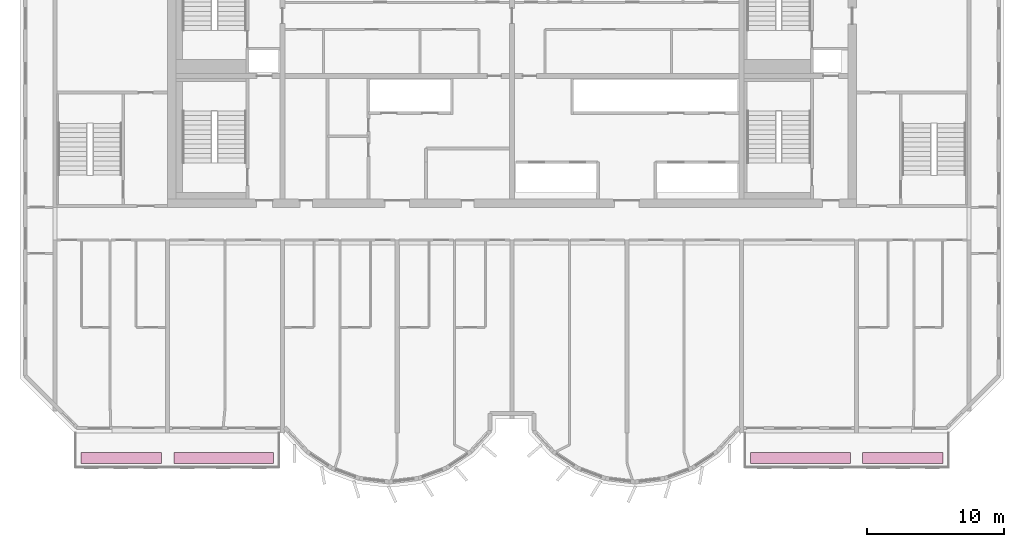
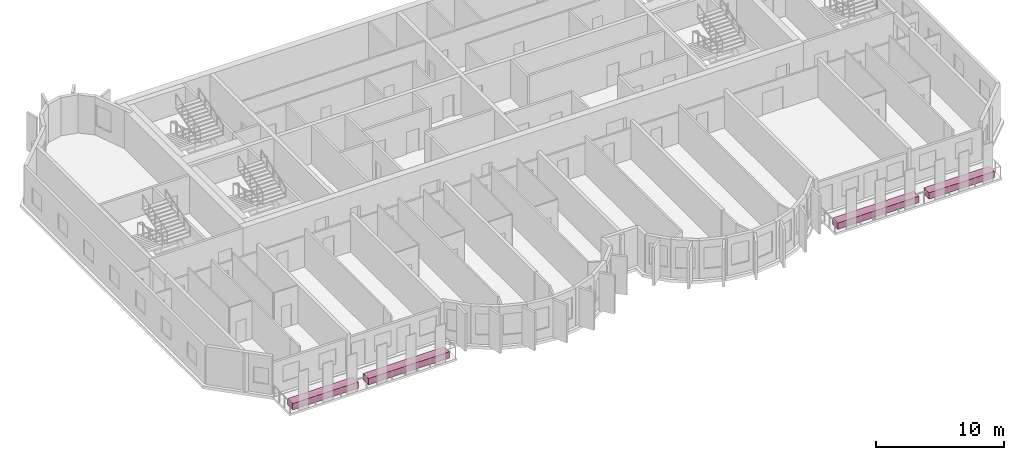
# One storey, part 11 of 11: 4 furniture elements.
"""IFC4 building model written with IfcOpenShell, lengths in metres."""

import ifcopenshell
import ifcopenshell.guid

model = None  # the IFC model being written
_history = None  # IfcOwnerHistory: only IFC2X3 demands one
_inside = {}  # id of a spatial element -> (the spatial element, [elements in it])
_under = {}  # id of a project, library or spatial element -> (it, [spatial elements below it])
_declared = {}  # id of a project -> (the project, [libraries it declares])
_typed = {}  # id of a type object -> (the type object, [elements of that type])
_made_of = {}  # id of a material, layer set ... -> (it, [elements and type objects made of it])


def new_model(schema):
    """Start an empty IFC model of exactly this schema.

    Asked for "IFC4X3", IfcOpenShell would pick the latest addendum, in which some entities
    have other attributes; the version numbers below select the first issue.
    IFC2X3 requires an IfcOwnerHistory on every rooted entity: one is made here for all.
    """
    global model, _history
    if schema == "IFC4X3":
        model = ifcopenshell.file(schema_version=(4, 3, 0, 0))
    else:
        model = ifcopenshell.file(schema=schema)
    _inside.clear()
    _under.clear()
    _declared.clear()
    _typed.clear()
    _made_of.clear()
    _history = None
    if model.schema == "IFC2X3":
        org = make("IfcOrganization", Name="unknown")
        user = make(
            "IfcPersonAndOrganization",
            ThePerson=make("IfcPerson", FamilyName="unknown"),
            TheOrganization=org,
        )
        app = make(
            "IfcApplication",
            ApplicationDeveloper=org,
            Version="unknown",
            ApplicationFullName="unknown",
            ApplicationIdentifier="unknown",
        )
        _history = make(
            "IfcOwnerHistory",
            OwningUser=user,
            OwningApplication=app,
            ChangeAction="ADDED",
            CreationDate=0,
        )
    return model


def make(cls, **values):
    """One entity of the class cls with the attributes given. An attribute that is None is left unset."""
    return model.create_entity(
        cls, **{name: value for name, value in values.items() if value is not None}
    )


def rooted(cls, **values):
    """An entity with a GlobalId (a new one), such as an element, a storey or a relation."""
    return make(cls, GlobalId=ifcopenshell.guid.new(), OwnerHistory=_history, **values)


def si_unit(unit_type, name, prefix=None):
    """IfcSIUnit, for example si_unit("LENGTHUNIT", "METRE", prefix="MILLI")."""
    return make("IfcSIUnit", UnitType=unit_type, Prefix=prefix, Name=name)


def assignment(units):
    """IfcUnitAssignment: the units of a project."""
    return None if units is None else make("IfcUnitAssignment", Units=units)


def point(xyz):
    """IfcCartesianPoint."""
    return None if xyz is None else make("IfcCartesianPoint", Coordinates=xyz)


def direction(xyz):
    """IfcDirection."""
    return None if xyz is None else make("IfcDirection", DirectionRatios=xyz)


def frame(location, z_axis=None, x_axis=None):
    """IfcAxis2Placement3D, a coordinate frame: its origin and axes. An axis left out is left unset."""
    return make(
        "IfcAxis2Placement3D",
        Location=point(location),
        Axis=direction(z_axis),
        RefDirection=direction(x_axis),
    )


def frame_2d(location, x_axis=None):
    """IfcAxis2Placement2D, a coordinate frame in the plane: its origin and x axis."""
    return make(
        "IfcAxis2Placement2D", Location=point(location), RefDirection=direction(x_axis)
    )


def origin():
    """The frame at (0, 0, 0) with its axes left unset."""
    return frame((0.0, 0.0, 0.0))


def origin_2d():
    """The frame at (0, 0) in the plane with its x axis left unset."""
    return frame_2d((0.0, 0.0))


def place(relative_to, where):
    """IfcLocalPlacement: puts the frame where relative to a parent placement (None: the world)."""
    return make(
        "IfcLocalPlacement", PlacementRelTo=relative_to, RelativePlacement=where
    )


def context(
    kind, dimensions, precision=None, world=None, true_north=None, identifier=None
):
    """IfcGeometricRepresentationContext, for example the 3D "Model" context."""
    return make(
        "IfcGeometricRepresentationContext",
        ContextIdentifier=identifier,
        ContextType=kind,
        CoordinateSpaceDimension=dimensions,
        Precision=precision,
        WorldCoordinateSystem=world,
        TrueNorth=true_north,
    )


def subcontext(parent, identifier, kind, view, scale=None):
    """IfcGeometricRepresentationSubContext, for example "Body" below "Model"."""
    return make(
        "IfcGeometricRepresentationSubContext",
        ContextIdentifier=identifier,
        ContextType=kind,
        ParentContext=parent,
        TargetScale=scale,
        TargetView=view,
    )


def project(units=None, contexts=None):
    """IfcProject with its units and contexts."""
    return rooted(
        "IfcProject",
        Name="project",
        RepresentationContexts=contexts,
        UnitsInContext=assignment(units),
    )


def spatial(cls, under=None, at=None, **own):
    """A site, building, storey or space (cls), placed at a placement, below another one or the project."""
    s = rooted(cls, ObjectPlacement=at, **own)
    if under is not None:
        _under.setdefault(under.id(), (under, []))[1].append(s)
    return s


def profile(cls, at=None, kind="AREA", **sizes):
    """A parametric profile (cls). Its sizes go by their IFC names, for example OverallWidth=200.0."""
    return make(cls, ProfileType=kind, Position=at, **sizes)


def rectangle(**sizes):
    """IfcRectangleProfileDef."""
    return profile("IfcRectangleProfileDef", **sizes)


def extrude(swept, where, along, depth):
    """IfcExtrudedAreaSolid: the profile swept, set in the frame where, extruded along a direction by depth."""
    return make(
        "IfcExtrudedAreaSolid",
        SweptArea=swept,
        Position=where,
        ExtrudedDirection=direction(along),
        Depth=depth,
    )


def shape(context_of_items, identifier, shape_type, items):
    """IfcShapeRepresentation: the items that make up one representation, for example the "Body"."""
    return make(
        "IfcShapeRepresentation",
        ContextOfItems=context_of_items,
        RepresentationIdentifier=identifier,
        RepresentationType=shape_type,
        Items=items,
    )


def source(mapping_origin, context_of_items, identifier, shape_type, items):
    """IfcRepresentationMap: a shape defined once, which mapped items show again and again."""
    return make(
        "IfcRepresentationMap",
        MappingOrigin=mapping_origin,
        MappedRepresentation=shape(context_of_items, identifier, shape_type, items),
    )


def transform(
    local_origin,
    x_axis=None,
    y_axis=None,
    z_axis=None,
    scale=None,
    scale2=None,
    scale3=None,
    uniform=True,
):
    """IfcCartesianTransformationOperator3D, or its non-uniform kind. x_axis, y_axis, z_axis: its Axis1, 2, 3."""
    if uniform:
        return make(
            "IfcCartesianTransformationOperator3D",
            Axis1=direction(x_axis),
            Axis2=direction(y_axis),
            LocalOrigin=point(local_origin),
            Scale=scale,
            Axis3=direction(z_axis),
        )
    return make(
        "IfcCartesianTransformationOperator3DnonUniform",
        Axis1=direction(x_axis),
        Axis2=direction(y_axis),
        LocalOrigin=point(local_origin),
        Scale=scale,
        Axis3=direction(z_axis),
        Scale2=scale2,
        Scale3=scale3,
    )


def mapped(mapping_source, mapping_target):
    """IfcMappedItem: shows the shape of a source again, moved by a transform."""
    return make(
        "IfcMappedItem", MappingSource=mapping_source, MappingTarget=mapping_target
    )


def material(Name=None, Category=None):
    """IfcMaterial."""
    return make("IfcMaterial", Name=Name, Category=Category)


def made_of(thing, what):
    """Note that an element or type object is made of a material, layer set ...; save() writes the relation."""
    if what is not None:
        _made_of.setdefault(what.id(), (what, []))[1].append(thing)
    return thing


def type_object(cls, material=None, **own):
    """A type object (cls), such as IfcWallType, which elements share."""
    return made_of(rooted(cls, **own), material)


def element(
    cls,
    number,
    at=None,
    inside=None,
    cuts=None,
    type_object=None,
    material=None,
    context=None,
    identifier="Body",
    shape_type=None,
    held_by="IfcProductDefinitionShape",
    body=None,
    shapes=None,
    **own,
):
    """One element of the class cls, such as IfcWall. Its Tag is "e" and its number.

    at: its placement. inside: the storey or other place that contains it. cuts: it is an
    opening in that element (IfcRelVoidsElement). A single representation is given by context,
    identifier, shape_type and body (its items); several are given by shapes. held_by: the class
    of the entity that holds the representations. save() writes the other relations.
    """
    e = rooted(cls, Tag="e%d" % number, ObjectPlacement=at, **own)
    if body is not None:
        shapes = [shape(context, identifier, shape_type, body)]
    if shapes is not None:
        e.Representation = make(held_by, Representations=shapes)
    if inside is not None:
        _inside.setdefault(inside.id(), (inside, []))[1].append(e)
    if cuts is not None:
        rooted(
            "IfcRelVoidsElement", RelatingBuildingElement=cuts, RelatedOpeningElement=e
        )
    if type_object is not None:
        _typed.setdefault(type_object.id(), (type_object, []))[1].append(e)
    return made_of(e, material)


def aggregate(whole, parts):
    """IfcRelAggregates: a whole, such as a stair, and the parts it consists of."""
    return rooted("IfcRelAggregates", RelatingObject=whole, RelatedObjects=parts)


def save(model, path):
    """Write the relations noted so far, then the file.

    IfcRelAggregates (storeys below a building ...), IfcRelContainedInSpatialStructure (elements
    in a storey), IfcRelDefinesByType, IfcRelAssociatesMaterial and IfcRelDeclares: one each for
    every whole, place, type object, material and project.
    """
    for whole, parts in _under.values():
        aggregate(whole, parts)
    for where, things in _inside.values():
        rooted(
            "IfcRelContainedInSpatialStructure",
            RelatedElements=things,
            RelatingStructure=where,
        )
    for kind, things in _typed.values():
        rooted("IfcRelDefinesByType", RelatedObjects=things, RelatingType=kind)
    for what, things in _made_of.values():
        rooted("IfcRelAssociatesMaterial", RelatedObjects=things, RelatingMaterial=what)
    for by, libraries in _declared.values():
        rooted("IfcRelDeclares", RelatingContext=by, RelatedDefinitions=libraries)
    model.write(path)


model = new_model("IFC4")

# Units and contexts
model_context = context("Model", 3, precision=1e-05, world=origin(), true_north=direction((0.0, 1.0)))
body_context = subcontext(model_context, "Body", "Model", "MODEL_VIEW")
ifc_project = project(units=[si_unit("LENGTHUNIT", "METRE"), si_unit("AREAUNIT", "SQUARE_METRE"), si_unit("VOLUMEUNIT", "CUBIC_METRE"), si_unit("PLANEANGLEUNIT", "RADIAN"), si_unit("MASSUNIT", "GRAM", prefix="KILO")], contexts=[model_context])

# Site, building, storey
site_placement = place(None, origin())
site = spatial("IfcSite", under=ifc_project, at=site_placement, CompositionType="ELEMENT")
building_placement = place(site_placement, origin())
building = spatial("IfcBuilding", under=site, at=building_placement, Name="Vanashikhar Sky Hotel", CompositionType="ELEMENT")
storey_placement = place(building_placement, frame((0.0, 0.0, 245.199951171875)))
storey = spatial("IfcBuildingStorey", under=building, at=storey_placement, Name="L59", CompositionType="ELEMENT", Elevation=245.199951171875)

# Furniture
ifc_material = material(Name="Planting soil and shrubs")
furniture_type = type_object("IfcFurnitureType", Name="Planter trough", AssemblyPlace="NOTDEFINED", PredefinedType="USERDEFINED", material=ifc_material)
shared_shape_1 = source(origin(), body_context, "Body", "SweptSolid", [
    extrude(rectangle(XDim=7.300048828125, YDim=0.800048828125, at=origin_2d()), origin(), (0.0, 0.0, 1.0), 0.60009765625),
])
for number, where, z_axis, x_axis, name in (
    (1, (29.300048828125, 3.64990234375, -0.050048828125), (0.0, 0.0, 1.0), (1.0, 0.0, 0.0), "PLANTER with climbers"),
    (2, (71.5, 3.64990234375, -0.050048828125), (0.0, 0.0, 1.0), (1.0, 0.0, 0.0), "PLANTER with climbers"),
):
    element("IfcFurniture", number, at=place(storey_placement, frame(where, z_axis=z_axis, x_axis=x_axis)), inside=storey, type_object=furniture_type, Name=name, ObjectType="PLANTER", PredefinedType="USERDEFINED", context=body_context, shape_type="MappedRepresentation", body=[
        mapped(shared_shape_1, transform((0.0, 0.0, 0.0), scale=1.0)),
    ])
shared_shape_2 = source(origin(), body_context, "Body", "SweptSolid", [
    extrude(rectangle(XDim=5.89990234375, YDim=0.800048828125, at=origin_2d()), origin(), (0.0, 0.0, 1.0), 0.60009765625),
])
for number, where, z_axis, x_axis, name in (
    (3, (21.800048828125, 3.64990234375, -0.050048828125), (0.0, 0.0, 1.0), (1.0, 0.0, 0.0), "PLANTER with climbers"),
    (4, (79.0, 3.64990234375, -0.050048828125), (0.0, 0.0, 1.0), (1.0, 0.0, 0.0), "PLANTER with climbers"),
):
    element("IfcFurniture", number, at=place(storey_placement, frame(where, z_axis=z_axis, x_axis=x_axis)), inside=storey, type_object=furniture_type, Name=name, ObjectType="PLANTER", PredefinedType="USERDEFINED", context=body_context, shape_type="MappedRepresentation", body=[
        mapped(shared_shape_2, transform((0.0, 0.0, 0.0), scale=1.0)),
    ])

save(model, "model.ifc")
